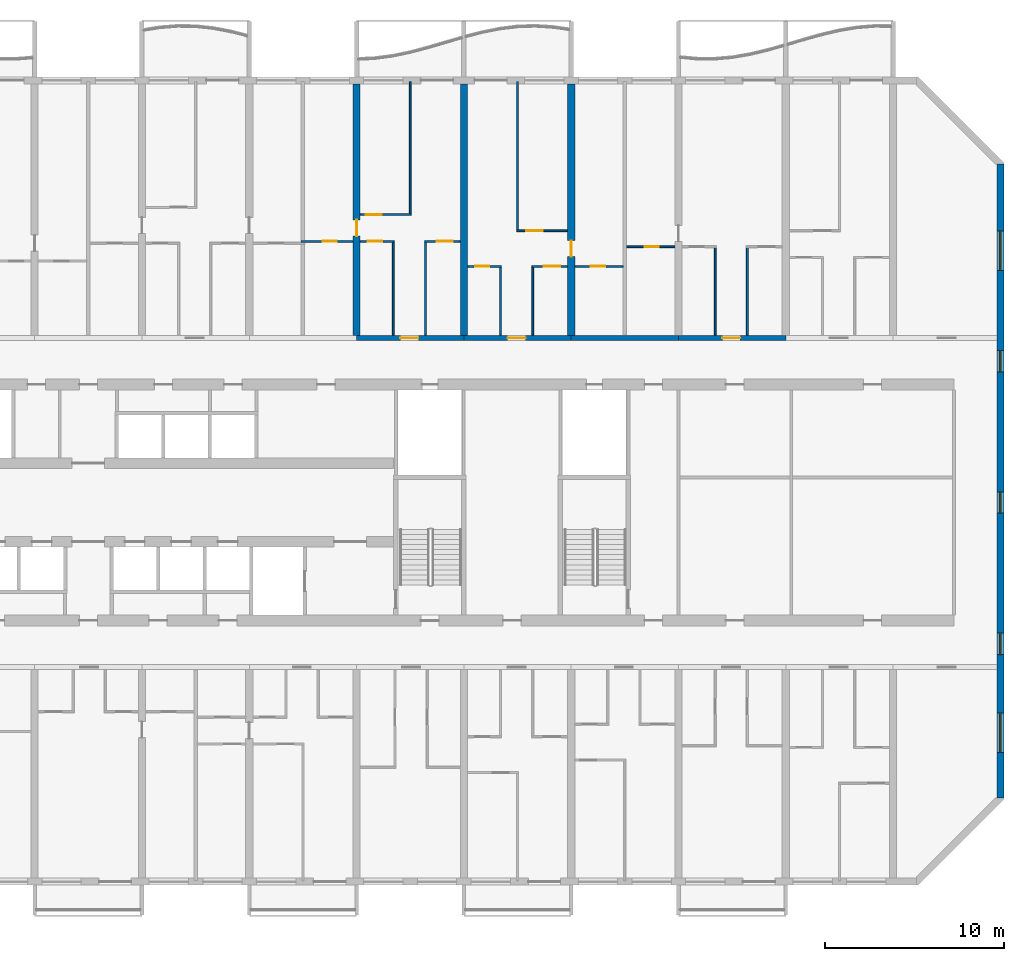
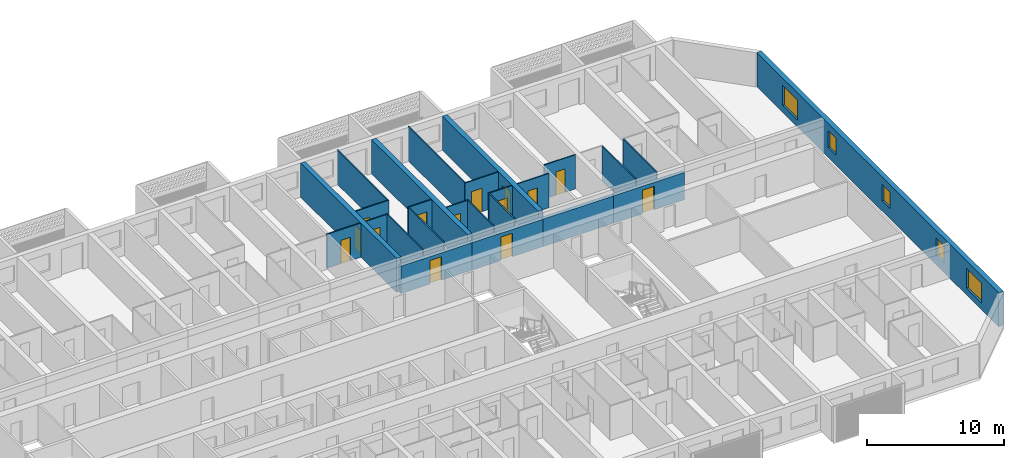
# One storey, part 16 of 38: 25 walls, 14 doors, 5 windows, 19 openings.
"""IFC4 building model written with IfcOpenShell, lengths in metres."""

from ifc_helpers import new_model, si_unit, direction, frame, frame_2d, origin, place, context, subcontext, project, spatial, rectangle, extrude, material, layer, layer_set, type_object, element, fill, save


model = new_model("IFC4")

# Units and contexts
model_context = context("Model", 3, precision=1e-05, world=origin(), true_north=direction((0.0, 1.0)))
body_context = subcontext(model_context, "Body", "Model", "MODEL_VIEW")
ifc_project = project(units=[si_unit("LENGTHUNIT", "METRE"), si_unit("AREAUNIT", "SQUARE_METRE"), si_unit("VOLUMEUNIT", "CUBIC_METRE"), si_unit("PLANEANGLEUNIT", "RADIAN"), si_unit("MASSUNIT", "GRAM", prefix="KILO")], contexts=[model_context])

# Site, building, storey
site_placement = place(None, origin())
site = spatial("IfcSite", under=ifc_project, at=site_placement, CompositionType="ELEMENT")
building_placement = place(site_placement, origin())
building = spatial("IfcBuilding", under=site, at=building_placement, Name="Poui Terraces", CompositionType="ELEMENT")
storey_placement = place(building_placement, frame((0.0, 0.0, 46.5)))
storey = spatial("IfcBuildingStorey", under=building, at=storey_placement, Name="L12", CompositionType="ELEMENT", Elevation=46.5)

# Wall, opening, door
ifc_material_1 = material(Name="Concrete 80 MPa", Category="concrete")
ifc_layer_1 = layer(ifc_material_1, 0.300048828125)
ifc_layer_set_1 = layer_set([ifc_layer_1], Name="Concrete 80 MPa")
wall_type_1 = type_object("IfcWallType", Name="CORRIDOR WALL 300 80MPa", PredefinedType="SHEAR", material=ifc_layer_set_1)
wall_1_placement = place(storey_placement, frame((66.0, 30.39990234375, 0.0), z_axis=(0.0, 0.0, 1.0), x_axis=(1.0, 0.0, 0.0)))
wall_1 = element("IfcWall", 1, at=wall_1_placement, inside=storey, type_object=wall_type_1, Name="CORRIDOR WALL LINE E BAY 12", PredefinedType="SHEAR", context=body_context, shape_type="SweptSolid", body=[
    extrude(rectangle(XDim=6.0, YDim=0.300048828125, at=frame_2d((3.0, 0.0))), origin(), (0.0, 0.0, 1.0), 2.449951171875),
])
opening_1_placement = place(wall_1_placement, frame((2.449951171875, 0.0, 0.0)))
opening_1 = element("IfcOpeningElement", 2, at=opening_1_placement, cuts=wall_1, Name="Opening FD30S", PredefinedType="OPENING", context=body_context, shape_type="SweptSolid", body=[
    extrude(rectangle(XDim=1.0, YDim=2.10009765625, at=frame_2d((0.5, 1.050048828125))), frame((0.0, 0.16015625, 0.0), z_axis=(0.0, -1.0, 0.0), x_axis=(1.0, 0.0, 0.0)), (0.0, 0.0, 1.0), 0.320068359375),
])
ifc_material_2 = material(Name="Steel fire door", Category="steel")
door_type_1 = type_object("IfcDoorType", Name="FLAT ENTRANCE DOOR 1000 X 2100", OperationType="NOTDEFINED", PredefinedType="DOOR", material=ifc_material_2)
door_1_placement = place(opening_1_placement, origin())
door_1 = element("IfcDoor", 3, at=door_1_placement, inside=storey, type_object=door_type_1, Name="FLAT ENTRANCE DOOR 073", OperationType="SINGLE_SWING_LEFT", OverallHeight=2.10009765625, OverallWidth=1.0, PredefinedType="DOOR", context=body_context, shape_type="SweptSolid", body=[
    extrude(rectangle(XDim=1.0, YDim=2.10009765625, at=frame_2d((0.5, 1.050048828125))), frame((0.0, 0.02490234375, 0.0), z_axis=(0.0, -1.0, 0.0), x_axis=(1.0, 0.0, 0.0)), (0.0, 0.0, 1.0), 0.050048828125),
])
fill(opening_1, door_1)

wall_2_placement = place(storey_placement, frame((72.0, 30.39990234375, 0.0), z_axis=(0.0, 0.0, 1.0), x_axis=(1.0, 0.0, 0.0)))
wall_2 = element("IfcWall", 4, at=wall_2_placement, inside=storey, type_object=wall_type_1, Name="CORRIDOR WALL LINE E BAY 13", PredefinedType="SHEAR", context=body_context, shape_type="SweptSolid", body=[
    extrude(rectangle(XDim=6.0, YDim=0.300048828125, at=frame_2d((3.0, 0.0))), origin(), (0.0, 0.0, 1.0), 2.449951171875),
])
opening_2_placement = place(wall_2_placement, frame((2.449951171875, 0.0, 0.0)))
opening_2 = element("IfcOpeningElement", 5, at=opening_2_placement, cuts=wall_2, Name="Opening FD30S", PredefinedType="OPENING", context=body_context, shape_type="SweptSolid", body=[
    extrude(rectangle(XDim=1.0, YDim=2.10009765625, at=frame_2d((0.5, 1.050048828125))), frame((0.0, 0.16015625, 0.0), z_axis=(0.0, -1.0, 0.0), x_axis=(1.0, 0.0, 0.0)), (0.0, 0.0, 1.0), 0.320068359375),
])
door_2_placement = place(opening_2_placement, origin())
door_2 = element("IfcDoor", 6, at=door_2_placement, inside=storey, type_object=door_type_1, Name="FLAT ENTRANCE DOOR 077", OperationType="SINGLE_SWING_LEFT", OverallHeight=2.10009765625, OverallWidth=1.0, PredefinedType="DOOR", context=body_context, shape_type="SweptSolid", body=[
    extrude(rectangle(XDim=1.0, YDim=2.10009765625, at=frame_2d((0.5, 1.050048828125))), frame((0.0, 0.02490234375, 0.0), z_axis=(0.0, -1.0, 0.0), x_axis=(1.0, 0.0, 0.0)), (0.0, 0.0, 1.0), 0.050048828125),
])
fill(opening_2, door_2)

# Wall
wall_3_placement = place(storey_placement, frame((78.0, 30.39990234375, 0.0), z_axis=(0.0, 0.0, 1.0), x_axis=(1.0, 0.0, 0.0)))
element("IfcWall", 7, at=wall_3_placement, inside=storey, type_object=wall_type_1, Name="CORRIDOR WALL LINE E BAY 14", PredefinedType="SHEAR", context=body_context, shape_type="SweptSolid", body=[
    extrude(rectangle(XDim=6.0, YDim=0.300048828125, at=frame_2d((3.0, 0.0))), origin(), (0.0, 0.0, 1.0), 2.449951171875),
])

# Wall, opening, door
wall_4_placement = place(storey_placement, frame((84.0, 30.39990234375, 0.0), z_axis=(0.0, 0.0, 1.0), x_axis=(1.0, 0.0, 0.0)))
wall_4 = element("IfcWall", 8, at=wall_4_placement, inside=storey, type_object=wall_type_1, Name="CORRIDOR WALL LINE E BAY 15", PredefinedType="SHEAR", context=body_context, shape_type="SweptSolid", body=[
    extrude(rectangle(XDim=6.0, YDim=0.300048828125, at=frame_2d((3.0, 0.0))), origin(), (0.0, 0.0, 1.0), 2.449951171875),
])
opening_3_placement = place(wall_4_placement, frame((2.449951171875, 0.0, 0.0)))
opening_3 = element("IfcOpeningElement", 9, at=opening_3_placement, cuts=wall_4, Name="Opening FD30S", PredefinedType="OPENING", context=body_context, shape_type="SweptSolid", body=[
    extrude(rectangle(XDim=1.0, YDim=2.10009765625, at=frame_2d((0.5, 1.050048828125))), frame((0.0, 0.16015625, 0.0), z_axis=(0.0, -1.0, 0.0), x_axis=(1.0, 0.0, 0.0)), (0.0, 0.0, 1.0), 0.320068359375),
])
door_3_placement = place(opening_3_placement, origin())
door_3 = element("IfcDoor", 10, at=door_3_placement, inside=storey, type_object=door_type_1, Name="FLAT ENTRANCE DOOR 084", OperationType="SINGLE_SWING_LEFT", OverallHeight=2.10009765625, OverallWidth=1.0, PredefinedType="DOOR", context=body_context, shape_type="SweptSolid", body=[
    extrude(rectangle(XDim=1.0, YDim=2.10009765625, at=frame_2d((0.5, 1.050048828125))), frame((0.0, 0.02490234375, 0.0), z_axis=(0.0, -1.0, 0.0), x_axis=(1.0, 0.0, 0.0)), (0.0, 0.0, 1.0), 0.050048828125),
])
fill(opening_3, door_3)

ifc_layer_2 = layer(ifc_material_1, 0.39990234375)
ifc_layer_set_2 = layer_set([ifc_layer_2], Name="Concrete 80 MPa")
wall_type_2 = type_object("IfcWallType", Name="CROSS WALL 400 80MPa", PredefinedType="SHEAR", material=ifc_layer_set_2)
wall_5_placement = place(storey_placement, frame((66.0, 30.550048828125, 0.0), z_axis=(0.0, 0.0, 1.0), x_axis=(0.0, 1.0, 0.0)))
wall_5 = element("IfcWall", 11, at=wall_5_placement, inside=storey, type_object=wall_type_2, Name="CROSS WALL LINE 12 NORTH", PredefinedType="SHEAR", context=body_context, shape_type="SweptSolid", body=[
    extrude(rectangle(XDim=14.050048828125, YDim=0.39990234375, at=frame_2d((7.02490234375, 0.0))), origin(), (0.0, 0.0, 1.0), 3.050048828125),
])
opening_4_placement = place(wall_5_placement, frame((5.550048828125, 0.0, 0.0)))
opening_4 = element("IfcOpeningElement", 12, at=opening_4_placement, cuts=wall_5, Name="Opening D90", PredefinedType="OPENING", context=body_context, shape_type="SweptSolid", body=[
    extrude(rectangle(XDim=0.89990234375, YDim=2.10009765625, at=frame_2d((0.449951171875, 1.050048828125))), frame((0.0, 0.2099609375, 0.0), z_axis=(0.0, -1.0, 0.0), x_axis=(1.0, 0.0, 0.0)), (0.0, 0.0, 1.0), 0.419921875),
])
ifc_material_3 = material(Name="Solid core timber door", Category="wood")
door_type_2 = type_object("IfcDoorType", Name="INTERNAL DOOR 900 X 2100", OperationType="NOTDEFINED", PredefinedType="DOOR", material=ifc_material_3)
door_4_placement = place(opening_4_placement, origin())
door_4 = element("IfcDoor", 13, at=door_4_placement, inside=storey, type_object=door_type_2, Name="INTERNAL DOOR 070", OperationType="SINGLE_SWING_LEFT", OverallHeight=2.10009765625, OverallWidth=0.89990234375, PredefinedType="DOOR", context=body_context, shape_type="SweptSolid", body=[
    extrude(rectangle(XDim=0.89990234375, YDim=2.10009765625, at=frame_2d((0.449951171875, 1.050048828125))), frame((0.0, 0.02490234375, 0.0), z_axis=(0.0, -1.0, 0.0), x_axis=(1.0, 0.0, 0.0)), (0.0, 0.0, 1.0), 0.050048828125),
])
fill(opening_4, door_4)

# Wall
wall_6_placement = place(storey_placement, frame((72.0, 30.550048828125, 0.0), z_axis=(0.0, 0.0, 1.0), x_axis=(0.0, 1.0, 0.0)))
element("IfcWall", 14, at=wall_6_placement, inside=storey, type_object=wall_type_2, Name="CROSS WALL LINE 13 NORTH", PredefinedType="SHEAR", context=body_context, shape_type="SweptSolid", body=[
    extrude(rectangle(XDim=14.050048828125, YDim=0.39990234375, at=frame_2d((7.02490234375, 0.0))), origin(), (0.0, 0.0, 1.0), 3.050048828125),
])

# Wall, opening, door
wall_7_placement = place(storey_placement, frame((78.0, 30.550048828125, 0.0), z_axis=(0.0, 0.0, 1.0), x_axis=(0.0, 1.0, 0.0)))
wall_7 = element("IfcWall", 15, at=wall_7_placement, inside=storey, type_object=wall_type_2, Name="CROSS WALL LINE 14 NORTH", PredefinedType="SHEAR", context=body_context, shape_type="SweptSolid", body=[
    extrude(rectangle(XDim=14.050048828125, YDim=0.39990234375, at=frame_2d((7.02490234375, 0.0))), origin(), (0.0, 0.0, 1.0), 3.050048828125),
])
opening_5_placement = place(wall_7_placement, frame((4.39990234375, 0.0, 0.0)))
opening_5 = element("IfcOpeningElement", 16, at=opening_5_placement, cuts=wall_7, Name="Opening D90", PredefinedType="OPENING", context=body_context, shape_type="SweptSolid", body=[
    extrude(rectangle(XDim=0.89990234375, YDim=2.10009765625, at=frame_2d((0.449951171875, 1.050048828125))), frame((0.0, 0.2099609375, 0.0), z_axis=(0.0, -1.0, 0.0), x_axis=(1.0, 0.0, 0.0)), (0.0, 0.0, 1.0), 0.419921875),
])
door_5_placement = place(opening_5_placement, frame((0.89990234375, 0.0, 0.0), z_axis=(0.0, 0.0, 1.0), x_axis=(-1.0, 0.0, 0.0)))
door_5 = element("IfcDoor", 17, at=door_5_placement, inside=storey, type_object=door_type_2, Name="INTERNAL DOOR 080", OperationType="SINGLE_SWING_RIGHT", OverallHeight=2.10009765625, OverallWidth=0.89990234375, PredefinedType="DOOR", context=body_context, shape_type="SweptSolid", body=[
    extrude(rectangle(XDim=0.89990234375, YDim=2.10009765625, at=frame_2d((0.449951171875, 1.050048828125))), frame((0.0, 0.02490234375, 0.0), z_axis=(0.0, -1.0, 0.0), x_axis=(1.0, 0.0, 0.0)), (0.0, 0.0, 1.0), 0.050048828125),
])
fill(opening_5, door_5)

# Wall, openings, windows
ifc_layer_3 = layer(ifc_material_1, 0.39990234375)
ifc_layer_set_3 = layer_set([ifc_layer_3], Name="Concrete 80 MPa")
wall_type_3 = type_object("IfcWallType", Name="END WALL 400 80MPa", PredefinedType="SHEAR", material=ifc_layer_set_3)
wall_8_placement = place(storey_placement, frame((102.0, 4.682861328125, 0.0), z_axis=(0.0, 0.0, 1.0), x_axis=(0.0, 1.0, 0.0)))
wall_8 = element("IfcWall", 18, at=wall_8_placement, inside=storey, type_object=wall_type_3, Name="END WALL EAST", PredefinedType="SHEAR", context=body_context, shape_type="SweptSolid", body=[
    extrude(rectangle(XDim=35.434326171875, YDim=0.39990234375, at=frame_2d((17.71728515625, 0.0))), origin(), (0.0, 0.0, 1.0), 3.050048828125),
])
opening_6_placement = place(wall_8_placement, frame((15.917236328125, 0.0, 0.89990234375)))
opening_6 = element("IfcOpeningElement", 19, at=opening_6_placement, cuts=wall_8, Name="Opening W2", PredefinedType="OPENING", context=body_context, shape_type="SweptSolid", body=[
    extrude(rectangle(XDim=1.199951171875, YDim=1.5, at=frame_2d((0.60009765625, 0.75))), frame((0.0, 0.2099609375, 0.0), z_axis=(0.0, -1.0, 0.0), x_axis=(1.0, 0.0, 0.0)), (0.0, 0.0, 1.0), 0.419921875),
])
opening_7_placement = place(wall_8_placement, frame((23.817138671875, 0.0, 0.89990234375)))
opening_7 = element("IfcOpeningElement", 20, at=opening_7_placement, cuts=wall_8, Name="Opening W2", PredefinedType="OPENING", context=body_context, shape_type="SweptSolid", body=[
    extrude(rectangle(XDim=1.199951171875, YDim=1.5, at=frame_2d((0.60009765625, 0.75))), frame((0.0, 0.2099609375, 0.0), z_axis=(0.0, -1.0, 0.0), x_axis=(1.0, 0.0, 0.0)), (0.0, 0.0, 1.0), 0.419921875),
])
opening_8_placement = place(wall_8_placement, frame((8.01708984375, 0.0, 0.89990234375)))
opening_8 = element("IfcOpeningElement", 21, at=opening_8_placement, cuts=wall_8, Name="Opening W2", PredefinedType="OPENING", context=body_context, shape_type="SweptSolid", body=[
    extrude(rectangle(XDim=1.199951171875, YDim=1.5, at=frame_2d((0.60009765625, 0.75))), frame((0.0, 0.2099609375, 0.0), z_axis=(0.0, -1.0, 0.0), x_axis=(1.0, 0.0, 0.0)), (0.0, 0.0, 1.0), 0.419921875),
])
opening_9_placement = place(wall_8_placement, frame((29.493408203125, 0.0, 0.60009765625)))
opening_9 = element("IfcOpeningElement", 22, at=opening_9_placement, cuts=wall_8, Name="Opening W3", PredefinedType="OPENING", context=body_context, shape_type="SweptSolid", body=[
    extrude(rectangle(XDim=2.199951171875, YDim=1.800048828125, at=frame_2d((1.10009765625, 0.89990234375))), frame((0.0, 0.2099609375, 0.0), z_axis=(0.0, -1.0, 0.0), x_axis=(1.0, 0.0, 0.0)), (0.0, 0.0, 1.0), 0.419921875),
])
opening_10_placement = place(wall_8_placement, frame((2.541015625, 0.0, 0.60009765625)))
opening_10 = element("IfcOpeningElement", 23, at=opening_10_placement, cuts=wall_8, Name="Opening W3", PredefinedType="OPENING", context=body_context, shape_type="SweptSolid", body=[
    extrude(rectangle(XDim=2.199951171875, YDim=1.800048828125, at=frame_2d((1.10009765625, 0.89990234375))), frame((0.0, 0.2099609375, 0.0), z_axis=(0.0, -1.0, 0.0), x_axis=(1.0, 0.0, 0.0)), (0.0, 0.0, 1.0), 0.419921875),
])
ifc_material_4 = material(Name="Clear glass in aluminium frame", Category="aluminium")
window_type_1 = type_object("IfcWindowType", Name="WINDOW 1200X1500", PartitioningType="SINGLE_PANEL", PredefinedType="WINDOW", material=ifc_material_4)
window_1_placement = place(opening_6_placement, origin())
window_1 = element("IfcWindow", 24, at=window_1_placement, inside=storey, type_object=window_type_1, Name="W2 WINDOW", OverallHeight=1.5, OverallWidth=1.199951171875, PartitioningType="SINGLE_PANEL", PredefinedType="WINDOW", context=body_context, shape_type="SweptSolid", body=[
    extrude(rectangle(XDim=1.199951171875, YDim=1.5, at=frame_2d((0.60009765625, 0.75))), frame((0.0, 0.030029296875, 0.0), z_axis=(0.0, -1.0, 0.0), x_axis=(1.0, 0.0, 0.0)), (0.0, 0.0, 1.0), 0.06005859375),
])
fill(opening_6, window_1)
window_2_placement = place(opening_7_placement, origin())
window_2 = element("IfcWindow", 25, at=window_2_placement, inside=storey, type_object=window_type_1, Name="W2 WINDOW", OverallHeight=1.5, OverallWidth=1.199951171875, PartitioningType="SINGLE_PANEL", PredefinedType="WINDOW", context=body_context, shape_type="SweptSolid", body=[
    extrude(rectangle(XDim=1.199951171875, YDim=1.5, at=frame_2d((0.60009765625, 0.75))), frame((0.0, 0.030029296875, 0.0), z_axis=(0.0, -1.0, 0.0), x_axis=(1.0, 0.0, 0.0)), (0.0, 0.0, 1.0), 0.06005859375),
])
fill(opening_7, window_2)
window_3_placement = place(opening_8_placement, origin())
window_3 = element("IfcWindow", 26, at=window_3_placement, inside=storey, type_object=window_type_1, Name="W2 WINDOW", OverallHeight=1.5, OverallWidth=1.199951171875, PartitioningType="SINGLE_PANEL", PredefinedType="WINDOW", context=body_context, shape_type="SweptSolid", body=[
    extrude(rectangle(XDim=1.199951171875, YDim=1.5, at=frame_2d((0.60009765625, 0.75))), frame((0.0, 0.030029296875, 0.0), z_axis=(0.0, -1.0, 0.0), x_axis=(1.0, 0.0, 0.0)), (0.0, 0.0, 1.0), 0.06005859375),
])
fill(opening_8, window_3)
window_type_2 = type_object("IfcWindowType", Name="WINDOW 2200X1800", PartitioningType="DOUBLE_PANEL_HORIZONTAL", PredefinedType="WINDOW", material=ifc_material_4)
window_4_placement = place(opening_9_placement, origin())
window_4 = element("IfcWindow", 27, at=window_4_placement, inside=storey, type_object=window_type_2, Name="W3 WINDOW", OverallHeight=1.800048828125, OverallWidth=2.199951171875, PartitioningType="DOUBLE_PANEL_HORIZONTAL", PredefinedType="WINDOW", context=body_context, shape_type="SweptSolid", body=[
    extrude(rectangle(XDim=2.199951171875, YDim=1.800048828125, at=frame_2d((1.10009765625, 0.89990234375))), frame((0.0, 0.030029296875, 0.0), z_axis=(0.0, -1.0, 0.0), x_axis=(1.0, 0.0, 0.0)), (0.0, 0.0, 1.0), 0.06005859375),
])
fill(opening_9, window_4)
window_5_placement = place(opening_10_placement, origin())
window_5 = element("IfcWindow", 28, at=window_5_placement, inside=storey, type_object=window_type_2, Name="W3 WINDOW", OverallHeight=1.800048828125, OverallWidth=2.199951171875, PartitioningType="DOUBLE_PANEL_HORIZONTAL", PredefinedType="WINDOW", context=body_context, shape_type="SweptSolid", body=[
    extrude(rectangle(XDim=2.199951171875, YDim=1.800048828125, at=frame_2d((1.10009765625, 0.89990234375))), frame((0.0, 0.030029296875, 0.0), z_axis=(0.0, -1.0, 0.0), x_axis=(1.0, 0.0, 0.0)), (0.0, 0.0, 1.0), 0.06005859375),
])
fill(opening_10, window_5)

# Wall, opening, door
ifc_material_5 = material(Name="Plasterboard partition")
ifc_layer_4 = layer(ifc_material_5, 0.10009765625)
ifc_layer_set_4 = layer_set([ifc_layer_4], Name="Plasterboard partition")
wall_type_4 = type_object("IfcWallType", Name="FLAT PARTITION 100", PredefinedType="PARTITIONING", material=ifc_layer_set_4)
wall_9_placement = place(storey_placement, frame((72.2099609375, 34.39990234375, 0.0), z_axis=(0.0, 0.0, 1.0), x_axis=(1.0, 0.0, 0.0)))
wall_9 = element("IfcWall", 29, at=wall_9_placement, inside=storey, type_object=wall_type_4, Name="FLAT PARTITION 100", PredefinedType="PARTITIONING", context=body_context, shape_type="SweptSolid", body=[
    extrude(rectangle(XDim=1.89013671875, YDim=0.10009765625, at=frame_2d((0.945068359375, 0.0))), origin(), (0.0, 0.0, 1.0), 3.050048828125),
])
opening_11_placement = place(wall_9_placement, frame((0.4150390625, 0.0, 0.0)))
opening_11 = element("IfcOpeningElement", 30, at=opening_11_placement, cuts=wall_9, Name="Opening D80", PredefinedType="OPENING", context=body_context, shape_type="SweptSolid", body=[
    extrude(rectangle(XDim=0.800048828125, YDim=2.10009765625, at=frame_2d((0.39990234375, 1.050048828125))), frame((0.0, 0.06005859375, 0.0), z_axis=(0.0, -1.0, 0.0), x_axis=(1.0, 0.0, 0.0)), (0.0, 0.0, 1.0), 0.1201171875),
])
door_type_3 = type_object("IfcDoorType", Name="BATHROOM, LAUNDRY AND STORE DOOR 800 X 2100", OperationType="NOTDEFINED", PredefinedType="DOOR", material=ifc_material_3)
door_6_placement = place(opening_11_placement, frame((0.800048828125, 0.0, 0.0), z_axis=(0.0, 0.0, 1.0), x_axis=(-1.0, 0.0, 0.0)))
door_6 = element("IfcDoor", 31, at=door_6_placement, inside=storey, type_object=door_type_3, Name="BATHROOM, LAUNDRY AND STORE DOOR 076", OperationType="SINGLE_SWING_LEFT", OverallHeight=2.10009765625, OverallWidth=0.800048828125, PredefinedType="DOOR", context=body_context, shape_type="SweptSolid", body=[
    extrude(rectangle(XDim=0.800048828125, YDim=2.10009765625, at=frame_2d((0.39990234375, 1.050048828125))), frame((0.0, 0.02490234375, 0.0), z_axis=(0.0, -1.0, 0.0), x_axis=(1.0, 0.0, 0.0)), (0.0, 0.0, 1.0), 0.050048828125),
])
fill(opening_11, door_6)

wall_10_placement = place(storey_placement, frame((75.800048828125, 34.39990234375, 0.0), z_axis=(0.0, 0.0, 1.0), x_axis=(1.0, 0.0, 0.0)))
wall_10 = element("IfcWall", 32, at=wall_10_placement, inside=storey, type_object=wall_type_4, Name="FLAT PARTITION 100", PredefinedType="PARTITIONING", context=body_context, shape_type="SweptSolid", body=[
    extrude(rectangle(XDim=1.989990234375, YDim=0.10009765625, at=frame_2d((0.9951171875, 0.0))), origin(), (0.0, 0.0, 1.0), 3.050048828125),
])
opening_12_placement = place(wall_10_placement, frame((0.675048828125, 0.0, 0.0)))
opening_12 = element("IfcOpeningElement", 33, at=opening_12_placement, cuts=wall_10, Name="Opening D90", PredefinedType="OPENING", context=body_context, shape_type="SweptSolid", body=[
    extrude(rectangle(XDim=0.89990234375, YDim=2.10009765625, at=frame_2d((0.449951171875, 1.050048828125))), frame((0.0, 0.06005859375, 0.0), z_axis=(0.0, -1.0, 0.0), x_axis=(1.0, 0.0, 0.0)), (0.0, 0.0, 1.0), 0.1201171875),
])
door_7_placement = place(opening_12_placement, frame((0.89990234375, 0.0, 0.0), z_axis=(0.0, 0.0, 1.0), x_axis=(-1.0, 0.0, 0.0)))
door_7 = element("IfcDoor", 34, at=door_7_placement, inside=storey, type_object=door_type_2, Name="INTERNAL DOOR 079", OperationType="SINGLE_SWING_RIGHT", OverallHeight=2.10009765625, OverallWidth=0.89990234375, PredefinedType="DOOR", context=body_context, shape_type="SweptSolid", body=[
    extrude(rectangle(XDim=0.89990234375, YDim=2.10009765625, at=frame_2d((0.449951171875, 1.050048828125))), frame((0.0, 0.02490234375, 0.0), z_axis=(0.0, -1.0, 0.0), x_axis=(1.0, 0.0, 0.0)), (0.0, 0.0, 1.0), 0.050048828125),
])
fill(opening_12, door_7)

wall_11_placement = place(storey_placement, frame((78.2099609375, 34.39990234375, 0.0), z_axis=(0.0, 0.0, 1.0), x_axis=(1.0, 0.0, 0.0)))
wall_11 = element("IfcWall", 35, at=wall_11_placement, inside=storey, type_object=wall_type_4, Name="FLAT PARTITION 100", PredefinedType="PARTITIONING", context=body_context, shape_type="SweptSolid", body=[
    extrude(rectangle(XDim=2.68994140625, YDim=0.10009765625, at=frame_2d((1.344970703125, 0.0))), origin(), (0.0, 0.0, 1.0), 3.050048828125),
])
opening_13_placement = place(wall_11_placement, frame((0.889892578125, 0.0, 0.0)))
opening_13 = element("IfcOpeningElement", 36, at=opening_13_placement, cuts=wall_11, Name="Opening D80", PredefinedType="OPENING", context=body_context, shape_type="SweptSolid", body=[
    extrude(rectangle(XDim=0.800048828125, YDim=2.10009765625, at=frame_2d((0.39990234375, 1.050048828125))), frame((0.0, 0.06005859375, 0.0), z_axis=(0.0, -1.0, 0.0), x_axis=(1.0, 0.0, 0.0)), (0.0, 0.0, 1.0), 0.1201171875),
])
door_8_placement = place(opening_13_placement, frame((0.800048828125, 0.0, 0.0), z_axis=(0.0, 0.0, 1.0), x_axis=(-1.0, 0.0, 0.0)))
door_8 = element("IfcDoor", 37, at=door_8_placement, inside=storey, type_object=door_type_3, Name="BATHROOM, LAUNDRY AND STORE DOOR 075", OperationType="SINGLE_SWING_LEFT", OverallHeight=2.10009765625, OverallWidth=0.800048828125, PredefinedType="DOOR", context=body_context, shape_type="SweptSolid", body=[
    extrude(rectangle(XDim=0.800048828125, YDim=2.10009765625, at=frame_2d((0.39990234375, 1.050048828125))), frame((0.0, 0.02490234375, 0.0), z_axis=(0.0, -1.0, 0.0), x_axis=(1.0, 0.0, 0.0)), (0.0, 0.0, 1.0), 0.050048828125),
])
fill(opening_13, door_8)

wall_12_placement = place(storey_placement, frame((81.10009765625, 35.5, 0.0), z_axis=(0.0, 0.0, 1.0), x_axis=(1.0, 0.0, 0.0)))
wall_12 = element("IfcWall", 38, at=wall_12_placement, inside=storey, type_object=wall_type_4, Name="FLAT PARTITION 100", PredefinedType="PARTITIONING", context=body_context, shape_type="SweptSolid", body=[
    extrude(rectangle(XDim=2.68994140625, YDim=0.10009765625, at=frame_2d((1.344970703125, 0.0))), origin(), (0.0, 0.0, 1.0), 3.050048828125),
])
opening_14_placement = place(wall_12_placement, frame((1.0, 0.0, 0.0)))
opening_14 = element("IfcOpeningElement", 39, at=opening_14_placement, cuts=wall_12, Name="Opening D80", PredefinedType="OPENING", context=body_context, shape_type="SweptSolid", body=[
    extrude(rectangle(XDim=0.800048828125, YDim=2.10009765625, at=frame_2d((0.39990234375, 1.050048828125))), frame((0.0, 0.06005859375, 0.0), z_axis=(0.0, -1.0, 0.0), x_axis=(1.0, 0.0, 0.0)), (0.0, 0.0, 1.0), 0.1201171875),
])
door_9_placement = place(opening_14_placement, frame((0.800048828125, 0.0, 0.0), z_axis=(0.0, 0.0, 1.0), x_axis=(-1.0, 0.0, 0.0)))
door_9 = element("IfcDoor", 40, at=door_9_placement, inside=storey, type_object=door_type_3, Name="BATHROOM, LAUNDRY AND STORE DOOR 081", OperationType="SINGLE_SWING_RIGHT", OverallHeight=2.10009765625, OverallWidth=0.800048828125, PredefinedType="DOOR", context=body_context, shape_type="SweptSolid", body=[
    extrude(rectangle(XDim=0.800048828125, YDim=2.10009765625, at=frame_2d((0.39990234375, 1.050048828125))), frame((0.0, 0.02490234375, 0.0), z_axis=(0.0, -1.0, 0.0), x_axis=(1.0, 0.0, 0.0)), (0.0, 0.0, 1.0), 0.050048828125),
])
fill(opening_14, door_9)

wall_13_placement = place(storey_placement, frame((62.89990234375, 35.800048828125, 0.0), z_axis=(0.0, 0.0, 1.0), x_axis=(1.0, 0.0, 0.0)))
wall_13 = element("IfcWall", 41, at=wall_13_placement, inside=storey, type_object=wall_type_4, Name="FLAT PARTITION 100", PredefinedType="PARTITIONING", context=body_context, shape_type="SweptSolid", body=[
    extrude(rectangle(XDim=2.89013671875, YDim=0.10009765625, at=frame_2d((1.445068359375, 0.0))), origin(), (0.0, 0.0, 1.0), 3.050048828125),
])
opening_15_placement = place(wall_13_placement, frame((1.199951171875, 0.0, 0.0)))
opening_15 = element("IfcOpeningElement", 42, at=opening_15_placement, cuts=wall_13, Name="Opening D80", PredefinedType="OPENING", context=body_context, shape_type="SweptSolid", body=[
    extrude(rectangle(XDim=0.800048828125, YDim=2.10009765625, at=frame_2d((0.39990234375, 1.050048828125))), frame((0.0, 0.06005859375, 0.0), z_axis=(0.0, -1.0, 0.0), x_axis=(1.0, 0.0, 0.0)), (0.0, 0.0, 1.0), 0.1201171875),
])
door_10_placement = place(opening_15_placement, frame((0.800048828125, 0.0, 0.0), z_axis=(0.0, 0.0, 1.0), x_axis=(-1.0, 0.0, 0.0)))
door_10 = element("IfcDoor", 43, at=door_10_placement, inside=storey, type_object=door_type_3, Name="BATHROOM, LAUNDRY AND STORE DOOR 069", OperationType="SINGLE_SWING_RIGHT", OverallHeight=2.10009765625, OverallWidth=0.800048828125, PredefinedType="DOOR", context=body_context, shape_type="SweptSolid", body=[
    extrude(rectangle(XDim=0.800048828125, YDim=2.10009765625, at=frame_2d((0.39990234375, 1.050048828125))), frame((0.0, 0.02490234375, 0.0), z_axis=(0.0, -1.0, 0.0), x_axis=(1.0, 0.0, 0.0)), (0.0, 0.0, 1.0), 0.050048828125),
])
fill(opening_15, door_10)

wall_14_placement = place(storey_placement, frame((66.2099609375, 35.800048828125, 0.0), z_axis=(0.0, 0.0, 1.0), x_axis=(1.0, 0.0, 0.0)))
wall_14 = element("IfcWall", 44, at=wall_14_placement, inside=storey, type_object=wall_type_4, Name="FLAT PARTITION 100", PredefinedType="PARTITIONING", context=body_context, shape_type="SweptSolid", body=[
    extrude(rectangle(XDim=1.89013671875, YDim=0.10009765625, at=frame_2d((0.945068359375, 0.0))), origin(), (0.0, 0.0, 1.0), 3.050048828125),
])
opening_16_placement = place(wall_14_placement, frame((0.4150390625, 0.0, 0.0)))
opening_16 = element("IfcOpeningElement", 45, at=opening_16_placement, cuts=wall_14, Name="Opening D80", PredefinedType="OPENING", context=body_context, shape_type="SweptSolid", body=[
    extrude(rectangle(XDim=0.800048828125, YDim=2.10009765625, at=frame_2d((0.39990234375, 1.050048828125))), frame((0.0, 0.06005859375, 0.0), z_axis=(0.0, -1.0, 0.0), x_axis=(1.0, 0.0, 0.0)), (0.0, 0.0, 1.0), 0.1201171875),
])
door_11_placement = place(opening_16_placement, frame((0.800048828125, 0.0, 0.0), z_axis=(0.0, 0.0, 1.0), x_axis=(-1.0, 0.0, 0.0)))
door_11 = element("IfcDoor", 46, at=door_11_placement, inside=storey, type_object=door_type_3, Name="BATHROOM, LAUNDRY AND STORE DOOR 072", OperationType="SINGLE_SWING_RIGHT", OverallHeight=2.10009765625, OverallWidth=0.800048828125, PredefinedType="DOOR", context=body_context, shape_type="SweptSolid", body=[
    extrude(rectangle(XDim=0.800048828125, YDim=2.10009765625, at=frame_2d((0.39990234375, 1.050048828125))), frame((0.0, 0.02490234375, 0.0), z_axis=(0.0, -1.0, 0.0), x_axis=(1.0, 0.0, 0.0)), (0.0, 0.0, 1.0), 0.050048828125),
])
fill(opening_16, door_11)

wall_15_placement = place(storey_placement, frame((69.800048828125, 35.800048828125, 0.0), z_axis=(0.0, 0.0, 1.0), x_axis=(1.0, 0.0, 0.0)))
wall_15 = element("IfcWall", 47, at=wall_15_placement, inside=storey, type_object=wall_type_4, Name="FLAT PARTITION 100", PredefinedType="PARTITIONING", context=body_context, shape_type="SweptSolid", body=[
    extrude(rectangle(XDim=1.989990234375, YDim=0.10009765625, at=frame_2d((0.9951171875, 0.0))), origin(), (0.0, 0.0, 1.0), 3.050048828125),
])
opening_17_placement = place(wall_15_placement, frame((0.675048828125, 0.0, 0.0)))
opening_17 = element("IfcOpeningElement", 48, at=opening_17_placement, cuts=wall_15, Name="Opening D90", PredefinedType="OPENING", context=body_context, shape_type="SweptSolid", body=[
    extrude(rectangle(XDim=0.89990234375, YDim=2.10009765625, at=frame_2d((0.449951171875, 1.050048828125))), frame((0.0, 0.06005859375, 0.0), z_axis=(0.0, -1.0, 0.0), x_axis=(1.0, 0.0, 0.0)), (0.0, 0.0, 1.0), 0.1201171875),
])
door_12_placement = place(opening_17_placement, frame((0.89990234375, 0.0, 0.0), z_axis=(0.0, 0.0, 1.0), x_axis=(-1.0, 0.0, 0.0)))
door_12 = element("IfcDoor", 49, at=door_12_placement, inside=storey, type_object=door_type_2, Name="INTERNAL DOOR 074", OperationType="SINGLE_SWING_LEFT", OverallHeight=2.10009765625, OverallWidth=0.89990234375, PredefinedType="DOOR", context=body_context, shape_type="SweptSolid", body=[
    extrude(rectangle(XDim=0.89990234375, YDim=2.10009765625, at=frame_2d((0.449951171875, 1.050048828125))), frame((0.0, 0.02490234375, 0.0), z_axis=(0.0, -1.0, 0.0), x_axis=(1.0, 0.0, 0.0)), (0.0, 0.0, 1.0), 0.050048828125),
])
fill(opening_17, door_12)

wall_16_placement = place(storey_placement, frame((74.949951171875, 36.39990234375, 0.0), z_axis=(0.0, 0.0, 1.0), x_axis=(1.0, 0.0, 0.0)))
wall_16 = element("IfcWall", 50, at=wall_16_placement, inside=storey, type_object=wall_type_4, Name="FLAT PARTITION 100", PredefinedType="PARTITIONING", context=body_context, shape_type="SweptSolid", body=[
    extrude(rectangle(XDim=2.840087890625, YDim=0.10009765625, at=frame_2d((1.419921875, 0.0))), origin(), (0.0, 0.0, 1.0), 3.050048828125),
])
opening_18_placement = place(wall_16_placement, frame((0.550048828125, 0.0, 0.0)))
opening_18 = element("IfcOpeningElement", 51, at=opening_18_placement, cuts=wall_16, Name="Opening D90", PredefinedType="OPENING", context=body_context, shape_type="SweptSolid", body=[
    extrude(rectangle(XDim=0.89990234375, YDim=2.10009765625, at=frame_2d((0.449951171875, 1.050048828125))), frame((0.0, 0.06005859375, 0.0), z_axis=(0.0, -1.0, 0.0), x_axis=(1.0, 0.0, 0.0)), (0.0, 0.0, 1.0), 0.1201171875),
])
door_13_placement = place(opening_18_placement, frame((0.89990234375, 0.0, 0.0), z_axis=(0.0, 0.0, 1.0), x_axis=(-1.0, 0.0, 0.0)))
door_13 = element("IfcDoor", 52, at=door_13_placement, inside=storey, type_object=door_type_2, Name="INTERNAL DOOR 078", OperationType="SINGLE_SWING_LEFT", OverallHeight=2.10009765625, OverallWidth=0.89990234375, PredefinedType="DOOR", context=body_context, shape_type="SweptSolid", body=[
    extrude(rectangle(XDim=0.89990234375, YDim=2.10009765625, at=frame_2d((0.449951171875, 1.050048828125))), frame((0.0, 0.02490234375, 0.0), z_axis=(0.0, -1.0, 0.0), x_axis=(1.0, 0.0, 0.0)), (0.0, 0.0, 1.0), 0.050048828125),
])
fill(opening_18, door_13)

wall_17_placement = place(storey_placement, frame((66.2099609375, 37.300048828125, 0.0), z_axis=(0.0, 0.0, 1.0), x_axis=(1.0, 0.0, 0.0)))
wall_17 = element("IfcWall", 53, at=wall_17_placement, inside=storey, type_object=wall_type_4, Name="FLAT PARTITION 100", PredefinedType="PARTITIONING", context=body_context, shape_type="SweptSolid", body=[
    extrude(rectangle(XDim=2.840087890625, YDim=0.10009765625, at=frame_2d((1.419921875, 0.0))), origin(), (0.0, 0.0, 1.0), 3.050048828125),
])
opening_19_placement = place(wall_17_placement, frame((0.2900390625, 0.0, 0.0)))
opening_19 = element("IfcOpeningElement", 54, at=opening_19_placement, cuts=wall_17, Name="Opening D90", PredefinedType="OPENING", context=body_context, shape_type="SweptSolid", body=[
    extrude(rectangle(XDim=0.89990234375, YDim=2.10009765625, at=frame_2d((0.449951171875, 1.050048828125))), frame((0.0, 0.06005859375, 0.0), z_axis=(0.0, -1.0, 0.0), x_axis=(1.0, 0.0, 0.0)), (0.0, 0.0, 1.0), 0.1201171875),
])
door_14_placement = place(opening_19_placement, frame((0.89990234375, 0.0, 0.0), z_axis=(0.0, 0.0, 1.0), x_axis=(-1.0, 0.0, 0.0)))
door_14 = element("IfcDoor", 55, at=door_14_placement, inside=storey, type_object=door_type_2, Name="INTERNAL DOOR 071", OperationType="SINGLE_SWING_LEFT", OverallHeight=2.10009765625, OverallWidth=0.89990234375, PredefinedType="DOOR", context=body_context, shape_type="SweptSolid", body=[
    extrude(rectangle(XDim=0.89990234375, YDim=2.10009765625, at=frame_2d((0.449951171875, 1.050048828125))), frame((0.0, 0.02490234375, 0.0), z_axis=(0.0, -1.0, 0.0), x_axis=(1.0, 0.0, 0.0)), (0.0, 0.0, 1.0), 0.050048828125),
])
fill(opening_19, door_14)

# Walls
wall_18_placement = place(storey_placement, frame((68.050048828125, 30.56005859375, 0.0), z_axis=(0.0, 0.0, 1.0), x_axis=(0.0, 1.0, 0.0)))
element("IfcWall", 56, at=wall_18_placement, inside=storey, type_object=wall_type_4, Name="FLAT PARTITION 100", PredefinedType="PARTITIONING", context=body_context, shape_type="SweptSolid", body=[
    extrude(rectangle(XDim=5.18994140625, YDim=0.10009765625, at=frame_2d((2.594970703125, 0.0))), origin(), (0.0, 0.0, 1.0), 3.050048828125),
])
wall_19_placement = place(storey_placement, frame((69.0, 37.35009765625, 0.0), z_axis=(0.0, 0.0, 1.0), x_axis=(0.0, 1.0, 0.0)))
element("IfcWall", 57, at=wall_19_placement, inside=storey, type_object=wall_type_4, Name="FLAT PARTITION 100", PredefinedType="PARTITIONING", context=body_context, shape_type="SweptSolid", body=[
    extrude(rectangle(XDim=7.389892578125, YDim=0.10009765625, at=frame_2d((3.69482421875, 0.0))), origin(), (0.0, 0.0, 1.0), 3.050048828125),
])
wall_20_placement = place(storey_placement, frame((69.85009765625, 30.56005859375, 0.0), z_axis=(0.0, 0.0, 1.0), x_axis=(0.0, 1.0, 0.0)))
element("IfcWall", 58, at=wall_20_placement, inside=storey, type_object=wall_type_4, Name="FLAT PARTITION 100", PredefinedType="PARTITIONING", context=body_context, shape_type="SweptSolid", body=[
    extrude(rectangle(XDim=5.18994140625, YDim=0.10009765625, at=frame_2d((2.594970703125, 0.0))), origin(), (0.0, 0.0, 1.0), 3.050048828125),
])
wall_21_placement = place(storey_placement, frame((74.050048828125, 30.56005859375, 0.0), z_axis=(0.0, 0.0, 1.0), x_axis=(0.0, 1.0, 0.0)))
element("IfcWall", 59, at=wall_21_placement, inside=storey, type_object=wall_type_4, Name="FLAT PARTITION 100", PredefinedType="PARTITIONING", context=body_context, shape_type="SweptSolid", body=[
    extrude(rectangle(XDim=3.7900390625, YDim=0.10009765625, at=frame_2d((1.89501953125, 0.0))), origin(), (0.0, 0.0, 1.0), 3.050048828125),
])
wall_22_placement = place(storey_placement, frame((75.0, 36.449951171875, 0.0), z_axis=(0.0, 0.0, 1.0), x_axis=(0.0, 1.0, 0.0)))
element("IfcWall", 60, at=wall_22_placement, inside=storey, type_object=wall_type_4, Name="FLAT PARTITION 100", PredefinedType="PARTITIONING", context=body_context, shape_type="SweptSolid", body=[
    extrude(rectangle(XDim=8.2900390625, YDim=0.10009765625, at=frame_2d((4.14501953125, 0.0))), origin(), (0.0, 0.0, 1.0), 3.050048828125),
])
wall_23_placement = place(storey_placement, frame((75.85009765625, 30.56005859375, 0.0), z_axis=(0.0, 0.0, 1.0), x_axis=(0.0, 1.0, 0.0)))
element("IfcWall", 61, at=wall_23_placement, inside=storey, type_object=wall_type_4, Name="FLAT PARTITION 100", PredefinedType="PARTITIONING", context=body_context, shape_type="SweptSolid", body=[
    extrude(rectangle(XDim=3.7900390625, YDim=0.10009765625, at=frame_2d((1.89501953125, 0.0))), origin(), (0.0, 0.0, 1.0), 3.050048828125),
])
for number, where, z_axis, x_axis, name in (
    (62, (86.050048828125, 30.56005859375, 0.0), (0.0, 0.0, 1.0), (0.0, 1.0, 0.0), "FLAT PARTITION 100"),
    (63, (87.85009765625, 30.56005859375, 0.0), (0.0, 0.0, 1.0), (0.0, 1.0, 0.0), "FLAT PARTITION 100"),
):
    element("IfcWall", number, at=place(storey_placement, frame(where, z_axis=z_axis, x_axis=x_axis)), inside=storey, type_object=wall_type_4, Name=name, PredefinedType="PARTITIONING", context=body_context, shape_type="SweptSolid", body=[
        extrude(rectangle(XDim=4.889892578125, YDim=0.10009765625, at=frame_2d((2.44482421875, 0.0))), origin(), (0.0, 0.0, 1.0), 3.050048828125),
    ])

save(model, "model.ifc")
